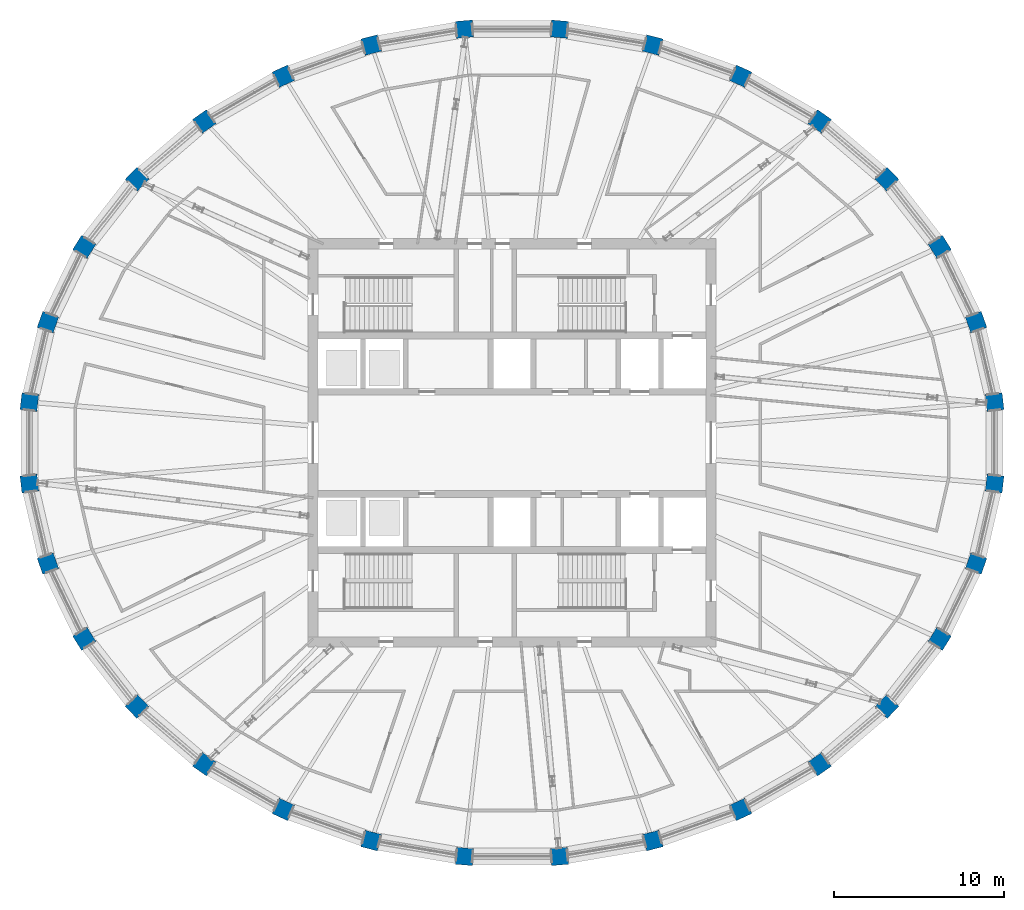
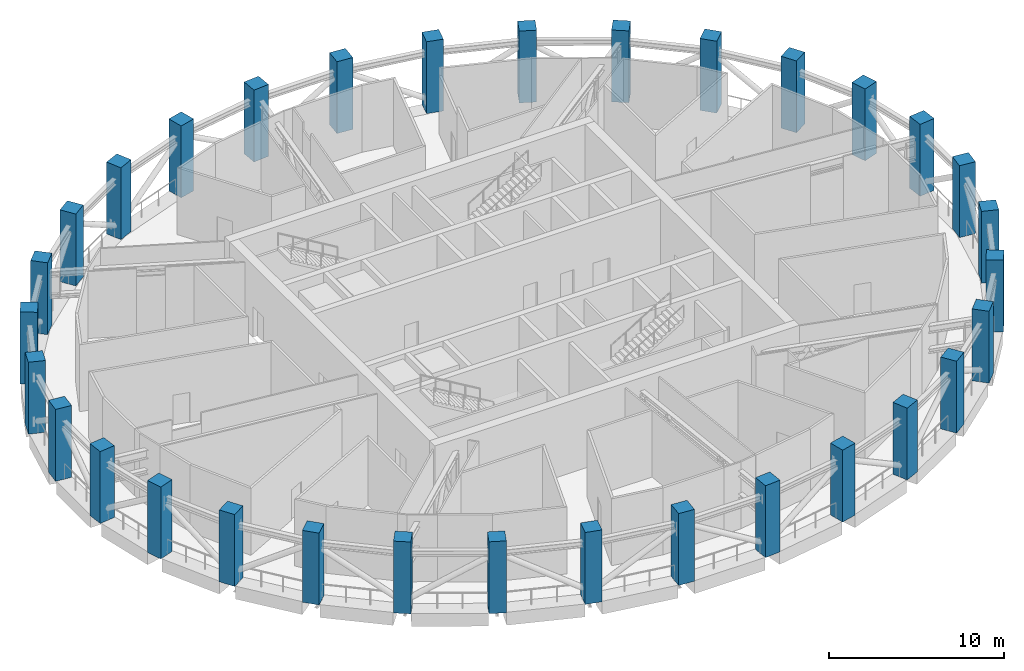
# One storey, part 1 of 20: 32 columns.
"""IFC4 building model written with IfcOpenShell, lengths in metres."""

from ifc_helpers import new_model, si_unit, direction, frame, origin, origin_2d, place, context, subcontext, project, spatial, rectangle, extrude, material, material_profile, profile_set, type_object, element, save


model = new_model("IFC4")

# Units and contexts
model_context = context("Model", 3, precision=1e-05, world=origin(), true_north=direction((0.0, 1.0)))
body_context = subcontext(model_context, "Body", "Model", "MODEL_VIEW")
ifc_project = project(units=[si_unit("LENGTHUNIT", "METRE"), si_unit("AREAUNIT", "SQUARE_METRE"), si_unit("VOLUMEUNIT", "CUBIC_METRE"), si_unit("PLANEANGLEUNIT", "RADIAN"), si_unit("MASSUNIT", "GRAM", prefix="KILO")], contexts=[model_context])

# Site, building, storey
site_placement = place(None, origin())
site = spatial("IfcSite", under=ifc_project, at=site_placement, CompositionType="ELEMENT")
building_placement = place(site_placement, origin())
building = spatial("IfcBuilding", under=site, at=building_placement, Name="Halqa Exchange Tower", CompositionType="ELEMENT")
storey_placement = place(building_placement, frame((0.0, 0.0, 328.300048828125)))
storey = spatial("IfcBuildingStorey", under=building, at=storey_placement, Name="L77", CompositionType="ELEMENT", Elevation=328.300048828125)

# Columns
ifc_material = material(Name="Concrete C50/60", Category="concrete")
ifc_material_profile = material_profile(ifc_material, rectangle(XDim=1.0, YDim=1.0, at=origin_2d()), Name="1000 x 1000")
ifc_profile_set = profile_set([ifc_material_profile], Name="Concrete C50/60")
column_type = type_object("IfcColumnType", Name="RC ring column 1000 x 1000 C50/60", PredefinedType="COLUMN", material=ifc_profile_set)
for number, where, z_axis, x_axis, name in (
    (1, (28.36279296875, 2.394287109375, 0.0), (0.0, 0.0, 1.0), (-0.114160389816, 0.993462332148, 0.0), "Ring column 1"),
    (2, (27.272705078125, 7.09130859375, 0.0), (0.0, 0.0, 1.0), (-0.333624233576, 0.942706142321, 0.0), "Ring column 2"),
    (3, (25.134765625, 11.515625, 0.0), (0.0, 0.0, 1.0), (-0.529140496257, 0.848534227489, 0.0), "Ring column 3"),
    (4, (22.03076171875, 15.497314453125, 0.0), (0.0, 0.0, 1.0), (-0.691578612608, 0.722301199351, 0.0), "Ring column 4"),
    (5, (18.080078125, 18.883544921875, 0.0), (0.0, 0.0, 1.0), (-0.817906779671, 0.575350762377, 0.0), "Ring column 5"),
    (6, (13.434814453125, 21.544189453125, 0.0), (0.0, 0.0, 1.0), (-0.909128549752, 0.416515641994, 0.0), "Ring column 6"),
    (7, (8.273193359375, 23.376708984375, 0.0), (0.0, 0.0, 1.0), (-0.967819064366, 0.251647091481, 0.0), "Ring column 7"),
    (8, (2.79345703125, 24.31103515625, 0.0), (0.0, 0.0, 1.0), (-0.996455078514, 0.084126550533, 0.0), "Ring column 8"),
    (9, (-2.79345703125, 24.31103515625, 0.0), (0.0, 0.0, 1.0), (-0.996455078514, -0.084126550533, 0.0), "Ring column 9"),
    (10, (-8.273193359375, 23.376708984375, 0.0), (0.0, 0.0, 1.0), (-0.967819064366, -0.251647091481, 0.0), "Ring column 10"),
    (11, (-13.434814453125, 21.544189453125, 0.0), (0.0, 0.0, 1.0), (-0.909128549752, -0.416515641994, 0.0), "Ring column 11"),
    (12, (-18.080078125, 18.883544921875, 0.0), (0.0, 0.0, 1.0), (-0.817906779671, -0.575350762377, 0.0), "Ring column 12"),
    (13, (-22.03076171875, 15.497314453125, 0.0), (0.0, 0.0, 1.0), (-0.691578612608, -0.722301199351, 0.0), "Ring column 13"),
    (14, (-25.134765625, 11.515625, 0.0), (0.0, 0.0, 1.0), (-0.529140496257, -0.848534227489, 0.0), "Ring column 14"),
    (15, (-27.272705078125, 7.09130859375, 0.0), (0.0, 0.0, 1.0), (-0.333624233576, -0.942706142321, 0.0), "Ring column 15"),
    (16, (-28.36279296875, 2.394287109375, 0.0), (0.0, 0.0, 1.0), (-0.114160389816, -0.993462332148, 0.0), "Ring column 16"),
    (17, (-28.36279296875, -2.394287109375, 0.0), (0.0, 0.0, 1.0), (0.114160389816, -0.993462332148, 0.0), "Ring column 17"),
    (18, (-27.272705078125, -7.09130859375, 0.0), (0.0, 0.0, 1.0), (0.333624233576, -0.942706142321, 0.0), "Ring column 18"),
    (19, (-25.134765625, -11.515625, 0.0), (0.0, 0.0, 1.0), (0.529140496257, -0.848534227489, 0.0), "Ring column 19"),
    (20, (-22.03076171875, -15.497314453125, 0.0), (0.0, 0.0, 1.0), (0.691578612608, -0.722301199351, 0.0), "Ring column 20"),
    (21, (-18.080078125, -18.883544921875, 0.0), (0.0, 0.0, 1.0), (0.817906779671, -0.575350762377, 0.0), "Ring column 21"),
    (22, (-13.434814453125, -21.544189453125, 0.0), (0.0, 0.0, 1.0), (0.909128549752, -0.416515641994, 0.0), "Ring column 22"),
    (23, (-8.273193359375, -23.376708984375, 0.0), (0.0, 0.0, 1.0), (0.967819064366, -0.251647091481, 0.0), "Ring column 23"),
    (24, (-2.79345703125, -24.31103515625, 0.0), (0.0, 0.0, 1.0), (0.996455078514, -0.084126550533, 0.0), "Ring column 24"),
    (25, (2.79345703125, -24.31103515625, 0.0), (0.0, 0.0, 1.0), (0.996455078514, 0.084126550533, 0.0), "Ring column 25"),
    (26, (8.273193359375, -23.376708984375, 0.0), (0.0, 0.0, 1.0), (0.967819064366, 0.251647091481, 0.0), "Ring column 26"),
    (27, (13.434814453125, -21.544189453125, 0.0), (0.0, 0.0, 1.0), (0.909128549752, 0.416515641994, 0.0), "Ring column 27"),
    (28, (18.080078125, -18.883544921875, 0.0), (0.0, 0.0, 1.0), (0.817906779671, 0.575350762377, 0.0), "Ring column 28"),
    (29, (22.03076171875, -15.497314453125, 0.0), (0.0, 0.0, 1.0), (0.691578612608, 0.722301199351, 0.0), "Ring column 29"),
    (30, (25.134765625, -11.515625, 0.0), (0.0, 0.0, 1.0), (0.529140496257, 0.848534227489, 0.0), "Ring column 30"),
    (31, (27.272705078125, -7.09130859375, 0.0), (0.0, 0.0, 1.0), (0.333624233576, 0.942706142321, 0.0), "Ring column 31"),
    (32, (28.36279296875, -2.394287109375, 0.0), (0.0, 0.0, 1.0), (0.114160389816, 0.993462332148, 0.0), "Ring column 32"),
):
    element("IfcColumn", number, at=place(storey_placement, frame(where, z_axis=z_axis, x_axis=x_axis)), inside=storey, type_object=column_type, Name=name, PredefinedType="COLUMN", context=body_context, shape_type="SweptSolid", body=[
        extrude(rectangle(XDim=1.0, YDim=1.0, at=origin_2d()), origin(), (0.0, 0.0, 1.0), 5.0),
    ])

save(model, "model.ifc")
